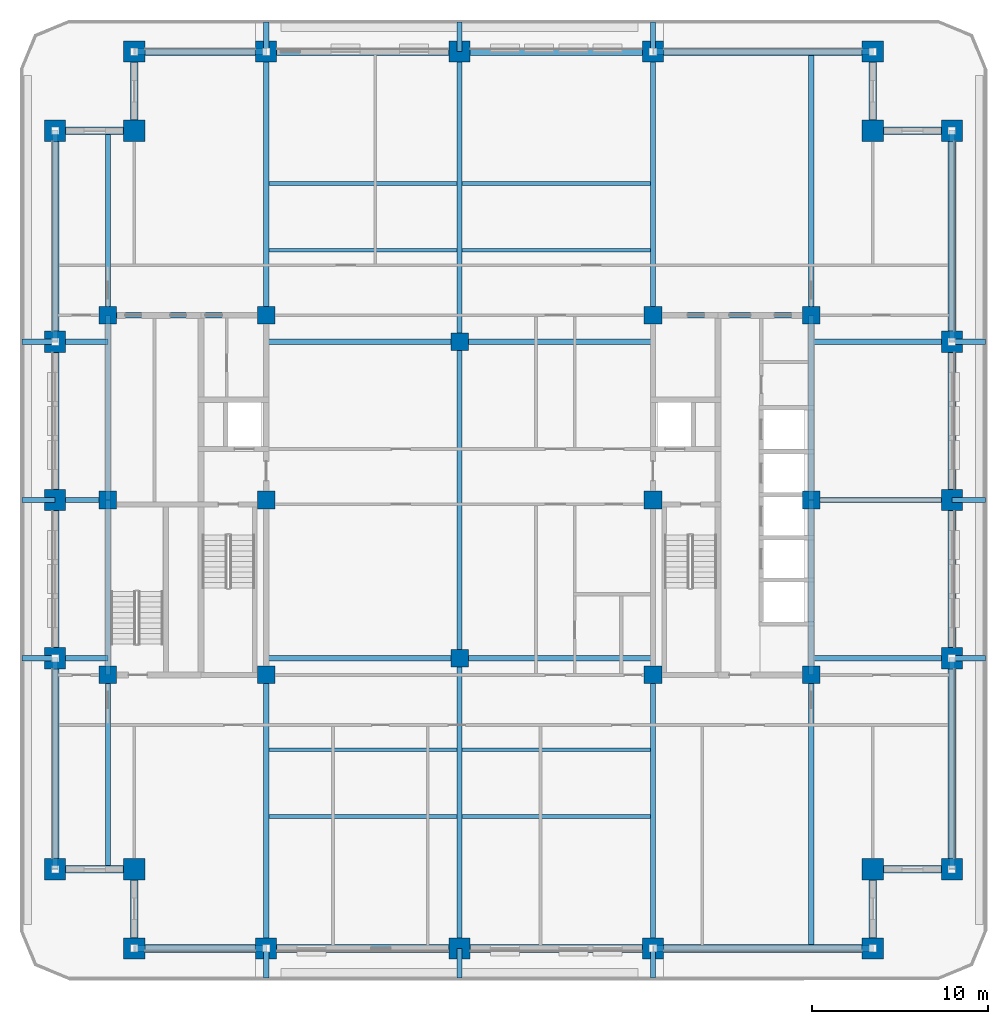
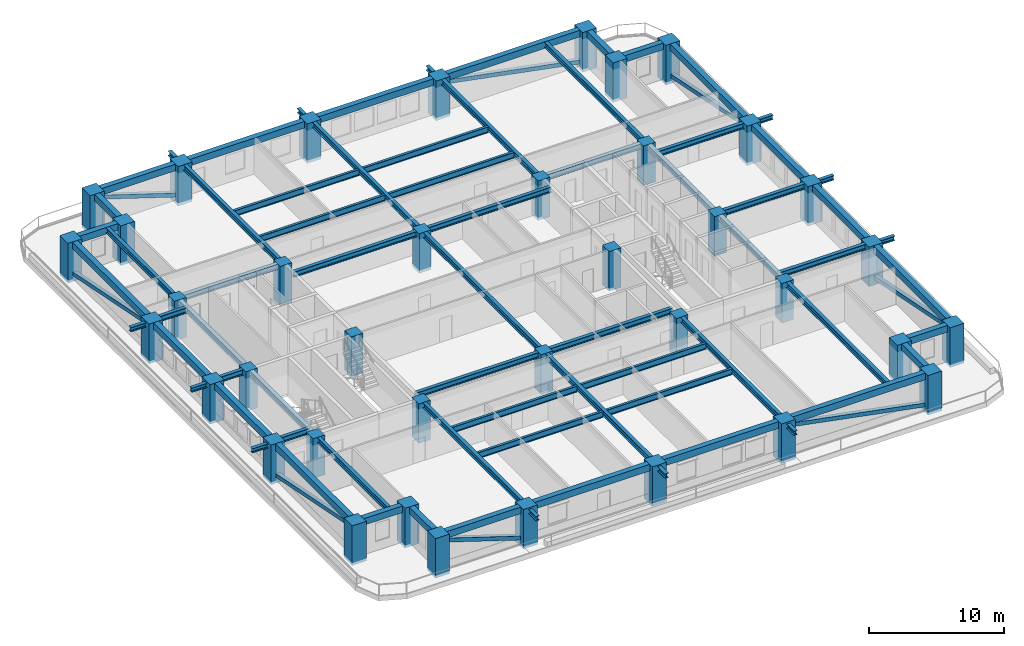
# One storey, part 1 of 13: 71 beams, 38 columns, 8 members.
"""IFC4 building model written with IfcOpenShell, lengths in metres."""

from ifc_helpers import new_model, si_unit, direction, frame, origin, origin_2d, place, context, subcontext, project, spatial, rectangle, hollow_rectangle, i_section, extrude, material, material_profile, profile_set, type_object, element, save


model = new_model("IFC4")

# Units and contexts
model_context = context("Model", 3, precision=1e-05, world=origin(), true_north=direction((0.0, 1.0)))
body_context = subcontext(model_context, "Body", "Model", "MODEL_VIEW")
ifc_project = project(units=[si_unit("LENGTHUNIT", "METRE"), si_unit("AREAUNIT", "SQUARE_METRE"), si_unit("VOLUMEUNIT", "CUBIC_METRE"), si_unit("PLANEANGLEUNIT", "RADIAN"), si_unit("MASSUNIT", "GRAM", prefix="KILO")], contexts=[model_context])

# Site, building, storey
site_placement = place(None, origin())
site = spatial("IfcSite", under=ifc_project, at=site_placement, CompositionType="ELEMENT")
building_placement = place(site_placement, origin())
building = spatial("IfcBuilding", under=site, at=building_placement, Name="Zulmaris Gate Convention Tower", CompositionType="ELEMENT")
storey_placement = place(building_placement, frame((0.0, 0.0, 109.2099609375)))
storey = spatial("IfcBuildingStorey", under=building, at=storey_placement, Name="L27", CompositionType="ELEMENT", Elevation=109.2099609375)

# Columns
ifc_material_1 = material(Name="Concrete C60/75", Category="concrete")
ifc_material_profile_1 = material_profile(ifc_material_1, rectangle(XDim=1.0, YDim=1.0, at=origin_2d()), Name="RC COL 1000x1000")
ifc_profile_set_1 = profile_set([ifc_material_profile_1], Name="Concrete C60/75")
column_type_1 = type_object("IfcColumnType", Name="COL-RC1000", PredefinedType="COLUMN", material=ifc_profile_set_1)
for number, where, z_axis, x_axis, name in (
    (1, (-20.0, -9.949951171875, -0.25), (0.0, 0.0, 1.0), (1.0, 0.0, 0.0), "L27 Column IN--20.00_-9.95"),
    (2, (-20.0, 10.5, -0.25), (0.0, 0.0, 1.0), (1.0, 0.0, 0.0), "L27 Column IN--20.00_+10.50"),
    (3, (-11.0, -9.949951171875, -0.25), (0.0, 0.0, 1.0), (1.0, 0.0, 0.0), "L27 Column IN--11.00_-9.95"),
    (4, (-11.0, 0.0, -0.25), (0.0, 0.0, 1.0), (1.0, 0.0, 0.0), "L27 Column IN--11.00_+0.00"),
    (5, (-11.0, 10.5, -0.25), (0.0, 0.0, 1.0), (1.0, 0.0, 0.0), "L27 Column IN--11.00_+10.50"),
    (6, (11.0, -9.949951171875, -0.25), (0.0, 0.0, 1.0), (1.0, 0.0, 0.0), "L27 Column IN-+11.00_-9.95"),
    (7, (11.0, 0.0, -0.25), (0.0, 0.0, 1.0), (1.0, 0.0, 0.0), "L27 Column IN-+11.00_+0.00"),
    (8, (11.0, 10.5, -0.25), (0.0, 0.0, 1.0), (1.0, 0.0, 0.0), "L27 Column IN-+11.00_+10.50"),
    (9, (20.0, -9.949951171875, -0.25), (0.0, 0.0, 1.0), (1.0, 0.0, 0.0), "L27 Column IN-+20.00_-9.95"),
    (10, (20.0, 10.5, -0.25), (0.0, 0.0, 1.0), (1.0, 0.0, 0.0), "L27 Column IN-+20.00_+10.50"),
    (11, (0.0, -9.0, -0.25), (0.0, 0.0, 1.0), (1.0, 0.0, 0.0), "L27 Column IN-+0.00_-9.00"),
    (12, (0.0, 9.0, -0.25), (0.0, 0.0, 1.0), (1.0, 0.0, 0.0), "L27 Column IN-+0.00_+9.00"),
    (13, (-20.0, 0.0, -0.25), (0.0, 0.0, 1.0), (1.0, 0.0, 0.0), "L27 Column IN--20.00_+0.00"),
    (14, (20.0, 0.0, -0.25), (0.0, 0.0, 1.0), (1.0, 0.0, 0.0), "L27 Column IN-+20.00_+0.00"),
):
    element("IfcColumn", number, at=place(storey_placement, frame(where, z_axis=z_axis, x_axis=x_axis)), inside=storey, type_object=column_type_1, Name=name, PredefinedType="COLUMN", context=body_context, shape_type="SweptSolid", body=[
        extrude(rectangle(XDim=1.0, YDim=1.0, at=origin_2d()), origin(), (0.0, 0.0, 1.0), 3.570068359375),
    ])
ifc_material_2 = material(Name="Concrete C70/85", Category="concrete")
ifc_material_profile_2 = material_profile(ifc_material_2, rectangle(XDim=1.199951171875, YDim=1.199951171875, at=origin_2d()), Name="RC COL 1200x1200")
ifc_profile_set_2 = profile_set([ifc_material_profile_2], Name="Concrete C70/85")
column_type_2 = type_object("IfcColumnType", Name="COL-RC1200", PredefinedType="COLUMN", material=ifc_profile_set_2)
for number, where, z_axis, x_axis, name in (
    (15, (-18.5, -25.5, -0.25), (0.0, 0.0, 1.0), (1.0, 0.0, 0.0), "L27 Column PT--18.50_-25.50"),
    (16, (-11.0, -25.5, -0.25), (0.0, 0.0, 1.0), (1.0, 0.0, 0.0), "L27 Column PT--11.00_-25.50"),
    (17, (0.0, -25.5, -0.25), (0.0, 0.0, 1.0), (1.0, 0.0, 0.0), "L27 Column PT-+0.00_-25.50"),
    (18, (11.0, -25.5, -0.25), (0.0, 0.0, 1.0), (1.0, 0.0, 0.0), "L27 Column PT-+11.00_-25.50"),
    (19, (23.5, -25.5, -0.25), (0.0, 0.0, 1.0), (1.0, 0.0, 0.0), "L27 Column PT-+23.50_-25.50"),
    (20, (-18.5, 25.5, -0.25), (0.0, 0.0, 1.0), (1.0, 0.0, 0.0), "L27 Column PT--18.50_+25.50"),
    (21, (-11.0, 25.5, -0.25), (0.0, 0.0, 1.0), (1.0, 0.0, 0.0), "L27 Column PT--11.00_+25.50"),
    (22, (0.0, 25.5, -0.25), (0.0, 0.0, 1.0), (1.0, 0.0, 0.0), "L27 Column PT-+0.00_+25.50"),
    (23, (11.0, 25.5, -0.25), (0.0, 0.0, 1.0), (1.0, 0.0, 0.0), "L27 Column PT-+11.00_+25.50"),
    (24, (23.5, 25.5, -0.25), (0.0, 0.0, 1.0), (1.0, 0.0, 0.0), "L27 Column PT-+23.50_+25.50"),
    (25, (-23.0, -21.0, -0.25), (0.0, 0.0, 1.0), (1.0, 0.0, 0.0), "L27 Column PT--23.00_-21.00"),
    (26, (-23.0, -9.0, -0.25), (0.0, 0.0, 1.0), (1.0, 0.0, 0.0), "L27 Column PT--23.00_-9.00"),
    (27, (-23.0, 0.0, -0.25), (0.0, 0.0, 1.0), (1.0, 0.0, 0.0), "L27 Column PT--23.00_+0.00"),
    (28, (-23.0, 9.0, -0.25), (0.0, 0.0, 1.0), (1.0, 0.0, 0.0), "L27 Column PT--23.00_+9.00"),
    (29, (-23.0, 21.0, -0.25), (0.0, 0.0, 1.0), (1.0, 0.0, 0.0), "L27 Column PT--23.00_+21.00"),
    (30, (28.0, -21.0, -0.25), (0.0, 0.0, 1.0), (1.0, 0.0, 0.0), "L27 Column PT-+28.00_-21.00"),
    (31, (28.0, -9.0, -0.25), (0.0, 0.0, 1.0), (1.0, 0.0, 0.0), "L27 Column PT-+28.00_-9.00"),
    (32, (28.0, 0.0, -0.25), (0.0, 0.0, 1.0), (1.0, 0.0, 0.0), "L27 Column PT-+28.00_+0.00"),
    (33, (28.0, 9.0, -0.25), (0.0, 0.0, 1.0), (1.0, 0.0, 0.0), "L27 Column PT-+28.00_+9.00"),
    (34, (28.0, 21.0, -0.25), (0.0, 0.0, 1.0), (1.0, 0.0, 0.0), "L27 Column PT-+28.00_+21.00"),
    (35, (-18.5, -21.0, -0.25), (0.0, 0.0, 1.0), (1.0, 0.0, 0.0), "L27 Column PT--18.50_-21.00"),
    (36, (23.5, -21.0, -0.25), (0.0, 0.0, 1.0), (1.0, 0.0, 0.0), "L27 Column PT-+23.50_-21.00"),
    (37, (23.5, 21.0, -0.25), (0.0, 0.0, 1.0), (1.0, 0.0, 0.0), "L27 Column PT-+23.50_+21.00"),
    (38, (-18.5, 21.0, -0.25), (0.0, 0.0, 1.0), (1.0, 0.0, 0.0), "L27 Column PT--18.50_+21.00"),
):
    element("IfcColumn", number, at=place(storey_placement, frame(where, z_axis=z_axis, x_axis=x_axis)), inside=storey, type_object=column_type_2, Name=name, PredefinedType="COLUMN", context=body_context, shape_type="SweptSolid", body=[
        extrude(rectangle(XDim=1.199951171875, YDim=1.199951171875, at=origin_2d()), origin(), (0.0, 0.0, 1.0), 3.570068359375),
    ])

# Beams
ifc_material_3 = material(Name="Steel S355", Category="steel")
ifc_material_profile_3 = material_profile(ifc_material_3, i_section(OverallWidth=0.300048828125, OverallDepth=0.39990234375, WebThickness=0.013427734375, FlangeThickness=0.02392578125, FilletRadius=0.027099609375, at=origin_2d()), Name="HEB 400")
ifc_profile_set_3 = profile_set([ifc_material_profile_3], Name="Steel S355")
beam_type_1 = type_object("IfcBeamType", Name="BM-HEB400", PredefinedType="BEAM", material=ifc_profile_set_3)
for number, where, z_axis, x_axis, name in (
    (39, (-11.0, -27.199951171875, 2.97998046875), (0.0, 1.0, 0.0), (-1.0, 0.0, 0.0), "L27 Beam TBRK-L27-S--11"),
    (40, (-11.0, 25.5, 2.97998046875), (0.0, 1.0, 0.0), (-1.0, 0.0, 0.0), "L27 Beam TBRK-L27-N--11"),
    (41, (0.0, -27.199951171875, 2.97998046875), (0.0, 1.0, 0.0), (-1.0, 0.0, 0.0), "L27 Beam TBRK-L27-S-+0"),
    (42, (0.0, 25.5, 2.97998046875), (0.0, 1.0, 0.0), (-1.0, 0.0, 0.0), "L27 Beam TBRK-L27-N-+0"),
    (43, (11.0, -27.199951171875, 2.97998046875), (0.0, 1.0, 0.0), (-1.0, 0.0, 0.0), "L27 Beam TBRK-L27-S-+11"),
    (44, (11.0, 25.5, 2.97998046875), (0.0, 1.0, 0.0), (-1.0, 0.0, 0.0), "L27 Beam TBRK-L27-N-+11"),
):
    element("IfcBeam", number, at=place(storey_placement, frame(where, z_axis=z_axis, x_axis=x_axis)), inside=storey, type_object=beam_type_1, Name=name, PredefinedType="BEAM", context=body_context, shape_type="SweptSolid", body=[
        extrude(i_section(OverallWidth=0.300048828125, OverallDepth=0.39990234375, WebThickness=0.013427734375, FlangeThickness=0.02392578125, FilletRadius=0.027099609375, at=origin_2d()), origin(), (0.0, 0.0, 1.0), 1.699951171875),
    ])
for number, where, z_axis, x_axis, name in (
    (45, (-24.89990234375, -9.0, 2.97998046875), (1.0, 0.0, 0.0), (0.0, 1.0, 0.0), "L27 Beam TBRK-L27-W--9"),
    (46, (28.0, -9.0, 2.97998046875), (1.0, 0.0, 0.0), (0.0, 1.0, 0.0), "L27 Beam TBRK-L27-E--9"),
    (47, (-24.89990234375, 0.0, 2.97998046875), (1.0, 0.0, 0.0), (0.0, 1.0, 0.0), "L27 Beam TBRK-L27-W-+0"),
    (48, (28.0, 0.0, 2.97998046875), (1.0, 0.0, 0.0), (0.0, 1.0, 0.0), "L27 Beam TBRK-L27-E-+0"),
    (49, (-24.89990234375, 9.0, 2.97998046875), (1.0, 0.0, 0.0), (0.0, 1.0, 0.0), "L27 Beam TBRK-L27-W-+9"),
    (50, (28.0, 9.0, 2.97998046875), (1.0, 0.0, 0.0), (0.0, 1.0, 0.0), "L27 Beam TBRK-L27-E-+9"),
):
    element("IfcBeam", number, at=place(storey_placement, frame(where, z_axis=z_axis, x_axis=x_axis)), inside=storey, type_object=beam_type_1, Name=name, PredefinedType="BEAM", context=body_context, shape_type="SweptSolid", body=[
        extrude(i_section(OverallWidth=0.300048828125, OverallDepth=0.39990234375, WebThickness=0.013427734375, FlangeThickness=0.02392578125, FilletRadius=0.027099609375, at=origin_2d()), origin(), (0.0, 0.0, 1.0), 1.89990234375),
    ])
ifc_material_profile_4 = material_profile(ifc_material_3, i_section(OverallWidth=0.300048828125, OverallDepth=0.5, WebThickness=0.014404296875, FlangeThickness=0.028076171875, FilletRadius=0.027099609375, at=origin_2d()), Name="HEB 500")
ifc_profile_set_4 = profile_set([ifc_material_profile_4], Name="Steel S355")
beam_type_2 = type_object("IfcBeamType", Name="BM-HEB500", PredefinedType="BEAM", material=ifc_profile_set_4)
for number, where, z_axis, x_axis, name in (
    (51, (-11.0, -9.0, 3.068115234375), (1.0, 0.0, 0.0), (0.0, 1.0, 0.0), "L27 Beam BM-L27-G01"),
    (52, (0.0, -9.0, 3.068115234375), (1.0, 0.0, 0.0), (0.0, 1.0, 0.0), "L27 Beam BM-L27-G02"),
    (53, (-11.0, 9.0, 3.068115234375), (1.0, 0.0, 0.0), (0.0, 1.0, 0.0), "L27 Beam BM-L27-G03"),
    (54, (0.0, 9.0, 3.068115234375), (1.0, 0.0, 0.0), (0.0, 1.0, 0.0), "L27 Beam BM-L27-G04"),
):
    element("IfcBeam", number, at=place(storey_placement, frame(where, z_axis=z_axis, x_axis=x_axis)), inside=storey, type_object=beam_type_2, Name=name, PredefinedType="BEAM", context=body_context, shape_type="SweptSolid", body=[
        extrude(i_section(OverallWidth=0.300048828125, OverallDepth=0.5, WebThickness=0.014404296875, FlangeThickness=0.028076171875, FilletRadius=0.027099609375, at=origin_2d()), origin(), (0.0, 0.0, 1.0), 11.0),
    ])
beam_1_placement = place(storey_placement, frame((0.0, -25.5, 3.068115234375), z_axis=(0.0, 1.0, 0.0), x_axis=(-1.0, 0.0, 0.0)))
element("IfcBeam", 55, at=beam_1_placement, inside=storey, type_object=beam_type_2, Name="L27 Beam BM-L27-G05", PredefinedType="BEAM", context=body_context, shape_type="SweptSolid", body=[
    extrude(i_section(OverallWidth=0.300048828125, OverallDepth=0.5, WebThickness=0.014404296875, FlangeThickness=0.028076171875, FilletRadius=0.027099609375, at=origin_2d()), origin(), (0.0, 0.0, 1.0), 16.5),
])
beam_2_placement = place(storey_placement, frame((0.0, -9.0, 3.068115234375), z_axis=(0.0, 1.0, 0.0), x_axis=(-1.0, 0.0, 0.0)))
element("IfcBeam", 56, at=beam_2_placement, inside=storey, type_object=beam_type_2, Name="L27 Beam BM-L27-G06", PredefinedType="BEAM", context=body_context, shape_type="SweptSolid", body=[
    extrude(i_section(OverallWidth=0.300048828125, OverallDepth=0.5, WebThickness=0.014404296875, FlangeThickness=0.028076171875, FilletRadius=0.027099609375, at=origin_2d()), origin(), (0.0, 0.0, 1.0), 18.0),
])
beam_3_placement = place(storey_placement, frame((0.0, 9.0, 3.068115234375), z_axis=(0.0, 1.0, 0.0), x_axis=(-1.0, 0.0, 0.0)))
element("IfcBeam", 57, at=beam_3_placement, inside=storey, type_object=beam_type_2, Name="L27 Beam BM-L27-G07", PredefinedType="BEAM", context=body_context, shape_type="SweptSolid", body=[
    extrude(i_section(OverallWidth=0.300048828125, OverallDepth=0.5, WebThickness=0.014404296875, FlangeThickness=0.028076171875, FilletRadius=0.027099609375, at=origin_2d()), origin(), (0.0, 0.0, 1.0), 16.5),
])
beam_4_placement = place(storey_placement, frame((-11.0, -25.5, 3.068115234375), z_axis=(0.0, 1.0, 0.0), x_axis=(-1.0, 0.0, 0.0)))
element("IfcBeam", 58, at=beam_4_placement, inside=storey, type_object=beam_type_2, Name="L27 Beam BM-L27-G08", PredefinedType="BEAM", context=body_context, shape_type="SweptSolid", body=[
    extrude(i_section(OverallWidth=0.300048828125, OverallDepth=0.5, WebThickness=0.014404296875, FlangeThickness=0.028076171875, FilletRadius=0.027099609375, at=origin_2d()), origin(), (0.0, 0.0, 1.0), 15.550048828125),
])
beam_5_placement = place(storey_placement, frame((-11.0, 10.5, 3.068115234375), z_axis=(0.0, 1.0, 0.0), x_axis=(-1.0, 0.0, 0.0)))
element("IfcBeam", 59, at=beam_5_placement, inside=storey, type_object=beam_type_2, Name="L27 Beam BM-L27-G09", PredefinedType="BEAM", context=body_context, shape_type="SweptSolid", body=[
    extrude(i_section(OverallWidth=0.300048828125, OverallDepth=0.5, WebThickness=0.014404296875, FlangeThickness=0.028076171875, FilletRadius=0.027099609375, at=origin_2d()), origin(), (0.0, 0.0, 1.0), 15.0),
])
beam_6_placement = place(storey_placement, frame((11.0, -25.5, 3.068115234375), z_axis=(0.0, 1.0, 0.0), x_axis=(-1.0, 0.0, 0.0)))
element("IfcBeam", 60, at=beam_6_placement, inside=storey, type_object=beam_type_2, Name="L27 Beam BM-L27-G10", PredefinedType="BEAM", context=body_context, shape_type="SweptSolid", body=[
    extrude(i_section(OverallWidth=0.300048828125, OverallDepth=0.5, WebThickness=0.014404296875, FlangeThickness=0.028076171875, FilletRadius=0.027099609375, at=origin_2d()), origin(), (0.0, 0.0, 1.0), 15.550048828125),
])
beam_7_placement = place(storey_placement, frame((11.0, 10.5, 3.068115234375), z_axis=(0.0, 1.0, 0.0), x_axis=(-1.0, 0.0, 0.0)))
element("IfcBeam", 61, at=beam_7_placement, inside=storey, type_object=beam_type_2, Name="L27 Beam BM-L27-G11", PredefinedType="BEAM", context=body_context, shape_type="SweptSolid", body=[
    extrude(i_section(OverallWidth=0.300048828125, OverallDepth=0.5, WebThickness=0.014404296875, FlangeThickness=0.028076171875, FilletRadius=0.027099609375, at=origin_2d()), origin(), (0.0, 0.0, 1.0), 15.0),
])
beam_8_placement = place(storey_placement, frame((-20.0, -21.0, 3.068115234375), z_axis=(0.0, 1.0, 0.0), x_axis=(-1.0, 0.0, 0.0)))
element("IfcBeam", 62, at=beam_8_placement, inside=storey, type_object=beam_type_2, Name="L27 Beam BM-L27-G12", PredefinedType="BEAM", context=body_context, shape_type="SweptSolid", body=[
    extrude(i_section(OverallWidth=0.300048828125, OverallDepth=0.5, WebThickness=0.014404296875, FlangeThickness=0.028076171875, FilletRadius=0.027099609375, at=origin_2d()), origin(), (0.0, 0.0, 1.0), 11.050048828125),
])
beam_9_placement = place(storey_placement, frame((-20.0, 10.5, 3.068115234375), z_axis=(0.0, 1.0, 0.0), x_axis=(-1.0, 0.0, 0.0)))
element("IfcBeam", 63, at=beam_9_placement, inside=storey, type_object=beam_type_2, Name="L27 Beam BM-L27-G13", PredefinedType="BEAM", context=body_context, shape_type="SweptSolid", body=[
    extrude(i_section(OverallWidth=0.300048828125, OverallDepth=0.5, WebThickness=0.014404296875, FlangeThickness=0.028076171875, FilletRadius=0.027099609375, at=origin_2d()), origin(), (0.0, 0.0, 1.0), 10.5),
])
beam_10_placement = place(storey_placement, frame((20.0, -25.5, 3.068115234375), z_axis=(0.0, 1.0, 0.0), x_axis=(-1.0, 0.0, 0.0)))
element("IfcBeam", 64, at=beam_10_placement, inside=storey, type_object=beam_type_2, Name="L27 Beam BM-L27-G14", PredefinedType="BEAM", context=body_context, shape_type="SweptSolid", body=[
    extrude(i_section(OverallWidth=0.300048828125, OverallDepth=0.5, WebThickness=0.014404296875, FlangeThickness=0.028076171875, FilletRadius=0.027099609375, at=origin_2d()), origin(), (0.0, 0.0, 1.0), 15.550048828125),
])
beam_11_placement = place(storey_placement, frame((20.0, 10.5, 3.068115234375), z_axis=(0.0, 1.0, 0.0), x_axis=(-1.0, 0.0, 0.0)))
element("IfcBeam", 65, at=beam_11_placement, inside=storey, type_object=beam_type_2, Name="L27 Beam BM-L27-G15", PredefinedType="BEAM", context=body_context, shape_type="SweptSolid", body=[
    extrude(i_section(OverallWidth=0.300048828125, OverallDepth=0.5, WebThickness=0.014404296875, FlangeThickness=0.028076171875, FilletRadius=0.027099609375, at=origin_2d()), origin(), (0.0, 0.0, 1.0), 15.0),
])
for number, where, z_axis, x_axis, name in (
    (66, (-23.0, -9.0, 3.068115234375), (1.0, 0.0, 0.0), (0.0, 1.0, 0.0), "L27 Beam BM-L27-G16"),
    (67, (-23.0, 0.0, 3.068115234375), (1.0, 0.0, 0.0), (0.0, 1.0, 0.0), "L27 Beam BM-L27-G17"),
    (68, (-23.0, 9.0, 3.068115234375), (1.0, 0.0, 0.0), (0.0, 1.0, 0.0), "L27 Beam BM-L27-G18"),
):
    element("IfcBeam", number, at=place(storey_placement, frame(where, z_axis=z_axis, x_axis=x_axis)), inside=storey, type_object=beam_type_2, Name=name, PredefinedType="BEAM", context=body_context, shape_type="SweptSolid", body=[
        extrude(i_section(OverallWidth=0.300048828125, OverallDepth=0.5, WebThickness=0.014404296875, FlangeThickness=0.028076171875, FilletRadius=0.027099609375, at=origin_2d()), origin(), (0.0, 0.0, 1.0), 3.0),
    ])
for number, where, z_axis, x_axis, name in (
    (69, (20.0, -9.0, 3.068115234375), (1.0, 0.0, 0.0), (0.0, 1.0, 0.0), "L27 Beam BM-L27-G19"),
    (70, (20.0, 0.0, 3.068115234375), (1.0, 0.0, 0.0), (0.0, 1.0, 0.0), "L27 Beam BM-L27-G20"),
    (71, (20.0, 9.0, 3.068115234375), (1.0, 0.0, 0.0), (0.0, 1.0, 0.0), "L27 Beam BM-L27-G21"),
):
    element("IfcBeam", number, at=place(storey_placement, frame(where, z_axis=z_axis, x_axis=x_axis)), inside=storey, type_object=beam_type_2, Name=name, PredefinedType="BEAM", context=body_context, shape_type="SweptSolid", body=[
        extrude(i_section(OverallWidth=0.300048828125, OverallDepth=0.5, WebThickness=0.014404296875, FlangeThickness=0.028076171875, FilletRadius=0.027099609375, at=origin_2d()), origin(), (0.0, 0.0, 1.0), 8.0),
    ])
for number, where, z_axis, x_axis, name in (
    (72, (-20.0, 10.5, 3.068115234375), (1.0, 0.0, 0.0), (0.0, 1.0, 0.0), "L27 Beam BM-L27-G23"),
    (73, (11.0, 10.5, 3.068115234375), (1.0, 0.0, 0.0), (0.0, 1.0, 0.0), "L27 Beam BM-L27-G25"),
):
    element("IfcBeam", number, at=place(storey_placement, frame(where, z_axis=z_axis, x_axis=x_axis)), inside=storey, type_object=beam_type_2, Name=name, PredefinedType="BEAM", context=body_context, shape_type="SweptSolid", body=[
        extrude(i_section(OverallWidth=0.300048828125, OverallDepth=0.5, WebThickness=0.014404296875, FlangeThickness=0.028076171875, FilletRadius=0.027099609375, at=origin_2d()), origin(), (0.0, 0.0, 1.0), 9.0),
    ])
beam_12_placement = place(storey_placement, frame((-20.0, -9.949951171875, 3.068115234375), z_axis=(0.0, 1.0, 0.0), x_axis=(-1.0, 0.0, 0.0)))
element("IfcBeam", 74, at=beam_12_placement, inside=storey, type_object=beam_type_2, Name="L27 Beam BM-L27-G26", PredefinedType="BEAM", context=body_context, shape_type="SweptSolid", body=[
    extrude(i_section(OverallWidth=0.300048828125, OverallDepth=0.5, WebThickness=0.014404296875, FlangeThickness=0.028076171875, FilletRadius=0.027099609375, at=origin_2d()), origin(), (0.0, 0.0, 1.0), 9.949951171875),
])
beam_13_placement = place(storey_placement, frame((-20.0, 0.0, 3.068115234375), z_axis=(0.0, 1.0, 0.0), x_axis=(-1.0, 0.0, 0.0)))
element("IfcBeam", 75, at=beam_13_placement, inside=storey, type_object=beam_type_2, Name="L27 Beam BM-L27-G27", PredefinedType="BEAM", context=body_context, shape_type="SweptSolid", body=[
    extrude(i_section(OverallWidth=0.300048828125, OverallDepth=0.5, WebThickness=0.014404296875, FlangeThickness=0.028076171875, FilletRadius=0.027099609375, at=origin_2d()), origin(), (0.0, 0.0, 1.0), 10.5),
])
beam_14_placement = place(storey_placement, frame((20.0, -9.949951171875, 3.068115234375), z_axis=(0.0, 1.0, 0.0), x_axis=(-1.0, 0.0, 0.0)))
element("IfcBeam", 76, at=beam_14_placement, inside=storey, type_object=beam_type_2, Name="L27 Beam BM-L27-G28", PredefinedType="BEAM", context=body_context, shape_type="SweptSolid", body=[
    extrude(i_section(OverallWidth=0.300048828125, OverallDepth=0.5, WebThickness=0.014404296875, FlangeThickness=0.028076171875, FilletRadius=0.027099609375, at=origin_2d()), origin(), (0.0, 0.0, 1.0), 9.949951171875),
])
beam_15_placement = place(storey_placement, frame((20.0, 0.0, 3.068115234375), z_axis=(0.0, 1.0, 0.0), x_axis=(-1.0, 0.0, 0.0)))
element("IfcBeam", 77, at=beam_15_placement, inside=storey, type_object=beam_type_2, Name="L27 Beam BM-L27-G29", PredefinedType="BEAM", context=body_context, shape_type="SweptSolid", body=[
    extrude(i_section(OverallWidth=0.300048828125, OverallDepth=0.5, WebThickness=0.014404296875, FlangeThickness=0.028076171875, FilletRadius=0.027099609375, at=origin_2d()), origin(), (0.0, 0.0, 1.0), 10.5),
])
ifc_material_4 = material(Name="Precast concrete C50/60", Category="concrete")
ifc_material_profile_5 = material_profile(ifc_material_4, rectangle(XDim=0.449951171875, YDim=0.60009765625, at=origin_2d()), Name="RC SPANDREL 450x600")
ifc_profile_set_5 = profile_set([ifc_material_profile_5], Name="Precast concrete C50/60")
beam_type_3 = type_object("IfcBeamType", Name="BM-SP450x600", PredefinedType="SPANDREL", material=ifc_profile_set_5)
beam_16_placement = place(storey_placement, frame((-18.5, -25.5, 3.02001953125), z_axis=(1.0, 0.0, 0.0), x_axis=(0.0, 1.0, 0.0)))
element("IfcBeam", 78, at=beam_16_placement, inside=storey, type_object=beam_type_3, Name="L27 Spandrel SP-L27-01", PredefinedType="SPANDREL", context=body_context, shape_type="SweptSolid", body=[
    extrude(rectangle(XDim=0.449951171875, YDim=0.60009765625, at=origin_2d()), origin(), (0.0, 0.0, 1.0), 7.5),
])
for number, where, z_axis, x_axis, name in (
    (79, (-11.0, -25.5, 3.02001953125), (1.0, 0.0, 0.0), (0.0, 1.0, 0.0), "L27 Spandrel SP-L27-02"),
    (80, (0.0, -25.5, 3.02001953125), (1.0, 0.0, 0.0), (0.0, 1.0, 0.0), "L27 Spandrel SP-L27-03"),
):
    element("IfcBeam", number, at=place(storey_placement, frame(where, z_axis=z_axis, x_axis=x_axis)), inside=storey, type_object=beam_type_3, Name=name, PredefinedType="SPANDREL", context=body_context, shape_type="SweptSolid", body=[
        extrude(rectangle(XDim=0.449951171875, YDim=0.60009765625, at=origin_2d()), origin(), (0.0, 0.0, 1.0), 11.0),
    ])
beam_17_placement = place(storey_placement, frame((11.0, -25.5, 3.02001953125), z_axis=(1.0, 0.0, 0.0), x_axis=(0.0, 1.0, 0.0)))
element("IfcBeam", 81, at=beam_17_placement, inside=storey, type_object=beam_type_3, Name="L27 Spandrel SP-L27-04", PredefinedType="SPANDREL", context=body_context, shape_type="SweptSolid", body=[
    extrude(rectangle(XDim=0.449951171875, YDim=0.60009765625, at=origin_2d()), origin(), (0.0, 0.0, 1.0), 12.5),
])
for number, where, z_axis, x_axis, name in (
    (82, (23.5, -25.5, 3.02001953125), (0.0, 1.0, 0.0), (-1.0, 0.0, 0.0), "L27 Spandrel SP-L27-05"),
    (83, (23.5, -21.0, 3.02001953125), (1.0, 0.0, 0.0), (0.0, 1.0, 0.0), "L27 Spandrel SP-L27-06"),
):
    element("IfcBeam", number, at=place(storey_placement, frame(where, z_axis=z_axis, x_axis=x_axis)), inside=storey, type_object=beam_type_3, Name=name, PredefinedType="SPANDREL", context=body_context, shape_type="SweptSolid", body=[
        extrude(rectangle(XDim=0.449951171875, YDim=0.60009765625, at=origin_2d()), origin(), (0.0, 0.0, 1.0), 4.5),
    ])
beam_18_placement = place(storey_placement, frame((28.0, -21.0, 3.02001953125), z_axis=(0.0, 1.0, 0.0), x_axis=(-1.0, 0.0, 0.0)))
element("IfcBeam", 84, at=beam_18_placement, inside=storey, type_object=beam_type_3, Name="L27 Spandrel SP-L27-07", PredefinedType="SPANDREL", context=body_context, shape_type="SweptSolid", body=[
    extrude(rectangle(XDim=0.449951171875, YDim=0.60009765625, at=origin_2d()), origin(), (0.0, 0.0, 1.0), 12.0),
])
for number, where, z_axis, x_axis, name in (
    (85, (28.0, -9.0, 3.02001953125), (0.0, 1.0, 0.0), (-1.0, 0.0, 0.0), "L27 Spandrel SP-L27-08"),
    (86, (28.0, 0.0, 3.02001953125), (0.0, 1.0, 0.0), (-1.0, 0.0, 0.0), "L27 Spandrel SP-L27-09"),
):
    element("IfcBeam", number, at=place(storey_placement, frame(where, z_axis=z_axis, x_axis=x_axis)), inside=storey, type_object=beam_type_3, Name=name, PredefinedType="SPANDREL", context=body_context, shape_type="SweptSolid", body=[
        extrude(rectangle(XDim=0.449951171875, YDim=0.60009765625, at=origin_2d()), origin(), (0.0, 0.0, 1.0), 9.0),
    ])
beam_19_placement = place(storey_placement, frame((28.0, 9.0, 3.02001953125), z_axis=(0.0, 1.0, 0.0), x_axis=(-1.0, 0.0, 0.0)))
element("IfcBeam", 87, at=beam_19_placement, inside=storey, type_object=beam_type_3, Name="L27 Spandrel SP-L27-10", PredefinedType="SPANDREL", context=body_context, shape_type="SweptSolid", body=[
    extrude(rectangle(XDim=0.449951171875, YDim=0.60009765625, at=origin_2d()), origin(), (0.0, 0.0, 1.0), 12.0),
])
for number, where, z_axis, x_axis, name in (
    (88, (28.0, 21.0, 3.02001953125), (-1.0, 0.0, 0.0), (0.0, -1.0, 0.0), "L27 Spandrel SP-L27-11"),
    (89, (23.5, 21.0, 3.02001953125), (0.0, 1.0, 0.0), (-1.0, 0.0, 0.0), "L27 Spandrel SP-L27-12"),
):
    element("IfcBeam", number, at=place(storey_placement, frame(where, z_axis=z_axis, x_axis=x_axis)), inside=storey, type_object=beam_type_3, Name=name, PredefinedType="SPANDREL", context=body_context, shape_type="SweptSolid", body=[
        extrude(rectangle(XDim=0.449951171875, YDim=0.60009765625, at=origin_2d()), origin(), (0.0, 0.0, 1.0), 4.5),
    ])
beam_20_placement = place(storey_placement, frame((23.5, 25.5, 3.02001953125), z_axis=(-1.0, 0.0, 0.0), x_axis=(0.0, -1.0, 0.0)))
element("IfcBeam", 90, at=beam_20_placement, inside=storey, type_object=beam_type_3, Name="L27 Spandrel SP-L27-13", PredefinedType="SPANDREL", context=body_context, shape_type="SweptSolid", body=[
    extrude(rectangle(XDim=0.449951171875, YDim=0.60009765625, at=origin_2d()), origin(), (0.0, 0.0, 1.0), 12.5),
])
for number, where, z_axis, x_axis, name in (
    (91, (11.0, 25.5, 3.02001953125), (-1.0, 0.0, 0.0), (0.0, -1.0, 0.0), "L27 Spandrel SP-L27-14"),
    (92, (0.0, 25.5, 3.02001953125), (-1.0, 0.0, 0.0), (0.0, -1.0, 0.0), "L27 Spandrel SP-L27-15"),
):
    element("IfcBeam", number, at=place(storey_placement, frame(where, z_axis=z_axis, x_axis=x_axis)), inside=storey, type_object=beam_type_3, Name=name, PredefinedType="SPANDREL", context=body_context, shape_type="SweptSolid", body=[
        extrude(rectangle(XDim=0.449951171875, YDim=0.60009765625, at=origin_2d()), origin(), (0.0, 0.0, 1.0), 11.0),
    ])
beam_21_placement = place(storey_placement, frame((-11.0, 25.5, 3.02001953125), z_axis=(-1.0, 0.0, 0.0), x_axis=(0.0, -1.0, 0.0)))
element("IfcBeam", 93, at=beam_21_placement, inside=storey, type_object=beam_type_3, Name="L27 Spandrel SP-L27-16", PredefinedType="SPANDREL", context=body_context, shape_type="SweptSolid", body=[
    extrude(rectangle(XDim=0.449951171875, YDim=0.60009765625, at=origin_2d()), origin(), (0.0, 0.0, 1.0), 7.5),
])
for number, where, z_axis, x_axis, name in (
    (94, (-18.5, 25.5, 3.02001953125), (0.0, -1.0, 0.0), (1.0, 0.0, 0.0), "L27 Spandrel SP-L27-17"),
    (95, (-18.5, 21.0, 3.02001953125), (-1.0, 0.0, 0.0), (0.0, -1.0, 0.0), "L27 Spandrel SP-L27-18"),
):
    element("IfcBeam", number, at=place(storey_placement, frame(where, z_axis=z_axis, x_axis=x_axis)), inside=storey, type_object=beam_type_3, Name=name, PredefinedType="SPANDREL", context=body_context, shape_type="SweptSolid", body=[
        extrude(rectangle(XDim=0.449951171875, YDim=0.60009765625, at=origin_2d()), origin(), (0.0, 0.0, 1.0), 4.5),
    ])
beam_22_placement = place(storey_placement, frame((-23.0, 21.0, 3.02001953125), z_axis=(0.0, -1.0, 0.0), x_axis=(1.0, 0.0, 0.0)))
element("IfcBeam", 96, at=beam_22_placement, inside=storey, type_object=beam_type_3, Name="L27 Spandrel SP-L27-19", PredefinedType="SPANDREL", context=body_context, shape_type="SweptSolid", body=[
    extrude(rectangle(XDim=0.449951171875, YDim=0.60009765625, at=origin_2d()), origin(), (0.0, 0.0, 1.0), 12.0),
])
for number, where, z_axis, x_axis, name in (
    (97, (-23.0, 9.0, 3.02001953125), (0.0, -1.0, 0.0), (1.0, 0.0, 0.0), "L27 Spandrel SP-L27-20"),
    (98, (-23.0, 0.0, 3.02001953125), (0.0, -1.0, 0.0), (1.0, 0.0, 0.0), "L27 Spandrel SP-L27-21"),
):
    element("IfcBeam", number, at=place(storey_placement, frame(where, z_axis=z_axis, x_axis=x_axis)), inside=storey, type_object=beam_type_3, Name=name, PredefinedType="SPANDREL", context=body_context, shape_type="SweptSolid", body=[
        extrude(rectangle(XDim=0.449951171875, YDim=0.60009765625, at=origin_2d()), origin(), (0.0, 0.0, 1.0), 9.0),
    ])
beam_23_placement = place(storey_placement, frame((-23.0, -9.0, 3.02001953125), z_axis=(0.0, -1.0, 0.0), x_axis=(1.0, 0.0, 0.0)))
element("IfcBeam", 99, at=beam_23_placement, inside=storey, type_object=beam_type_3, Name="L27 Spandrel SP-L27-22", PredefinedType="SPANDREL", context=body_context, shape_type="SweptSolid", body=[
    extrude(rectangle(XDim=0.449951171875, YDim=0.60009765625, at=origin_2d()), origin(), (0.0, 0.0, 1.0), 12.0),
])
for number, where, z_axis, x_axis, name in (
    (100, (-23.0, -21.0, 3.02001953125), (1.0, 0.0, 0.0), (0.0, 1.0, 0.0), "L27 Spandrel SP-L27-23"),
    (101, (-18.5, -21.0, 3.02001953125), (0.0, -1.0, 0.0), (1.0, 0.0, 0.0), "L27 Spandrel SP-L27-24"),
):
    element("IfcBeam", number, at=place(storey_placement, frame(where, z_axis=z_axis, x_axis=x_axis)), inside=storey, type_object=beam_type_3, Name=name, PredefinedType="SPANDREL", context=body_context, shape_type="SweptSolid", body=[
        extrude(rectangle(XDim=0.449951171875, YDim=0.60009765625, at=origin_2d()), origin(), (0.0, 0.0, 1.0), 4.5),
    ])

# Members
ifc_material_5 = material(Name="Steel S460", Category="steel")
ifc_material_profile_6 = material_profile(ifc_material_5, hollow_rectangle(XDim=0.35009765625, YDim=0.35009765625, WallThickness=0.01611328125, at=origin_2d()), Name="SHS 350x350x16")
ifc_profile_set_6 = profile_set([ifc_material_profile_6], Name="Steel S460")
member_type = type_object("IfcMemberType", Name="BR-SHS350", PredefinedType="BRACE", material=ifc_profile_set_6)
for number, where, z_axis, x_axis, name in (
    (102, (-23.0, -9.0, 0.300048828125), (0.0, -0.980582210276, 0.196108462057), (1.0, 0.0, 0.0), "L27 Perimeter Tube Diagonal SW-W"),
    (103, (-23.0, 21.0, 0.300048828125), (0.0, -0.980582210276, 0.196108462057), (1.0, 0.0, 0.0), "L27 Perimeter Tube Diagonal NW-W"),
    (104, (28.0, -9.0, 0.300048828125), (0.0, -0.980582210276, 0.196108462057), (1.0, 0.0, 0.0), "L27 Perimeter Tube Diagonal SE-E"),
    (105, (28.0, 21.0, 0.300048828125), (0.0, -0.980582210276, 0.196108462057), (1.0, 0.0, 0.0), "L27 Perimeter Tube Diagonal NE-E"),
):
    element("IfcMember", number, at=place(storey_placement, frame(where, z_axis=z_axis, x_axis=x_axis)), inside=storey, type_object=member_type, Name=name, PredefinedType="BRACE", context=body_context, shape_type="SweptSolid", body=[
        extrude(hollow_rectangle(XDim=0.35009765625, YDim=0.35009765625, WallThickness=0.01611328125, at=origin_2d()), origin(), (0.0, 0.0, 1.0), 12.237548828125),
    ])
member_1_placement = place(storey_placement, frame((-11.0, -25.5, 0.300048828125), z_axis=(-0.95242774696, 0.0, 0.304764477624), x_axis=(0.0, -1.0, 0.0)))
element("IfcMember", 106, at=member_1_placement, inside=storey, type_object=member_type, Name="L27 Perimeter Tube Diagonal SW-S", PredefinedType="BRACE", context=body_context, shape_type="SweptSolid", body=[
    extrude(hollow_rectangle(XDim=0.35009765625, YDim=0.35009765625, WallThickness=0.01611328125, at=origin_2d()), origin(), (0.0, 0.0, 1.0), 7.87451171875),
])
member_2_placement = place(storey_placement, frame((23.5, -25.5, 0.300048828125), z_axis=(-0.982063862241, 0.0, 0.188548589176), x_axis=(0.0, -1.0, 0.0)))
element("IfcMember", 107, at=member_2_placement, inside=storey, type_object=member_type, Name="L27 Perimeter Tube Diagonal SE-S", PredefinedType="BRACE", context=body_context, shape_type="SweptSolid", body=[
    extrude(hollow_rectangle(XDim=0.35009765625, YDim=0.35009765625, WallThickness=0.01611328125, at=origin_2d()), origin(), (0.0, 0.0, 1.0), 12.728271484375),
])
member_3_placement = place(storey_placement, frame((-11.0, 25.5, 0.300048828125), z_axis=(-0.95242774696, 0.0, 0.304764477624), x_axis=(0.0, -1.0, 0.0)))
element("IfcMember", 108, at=member_3_placement, inside=storey, type_object=member_type, Name="L27 Perimeter Tube Diagonal NW-N", PredefinedType="BRACE", context=body_context, shape_type="SweptSolid", body=[
    extrude(hollow_rectangle(XDim=0.35009765625, YDim=0.35009765625, WallThickness=0.01611328125, at=origin_2d()), origin(), (0.0, 0.0, 1.0), 7.87451171875),
])
member_4_placement = place(storey_placement, frame((23.5, 25.5, 0.300048828125), z_axis=(-0.982063862241, 0.0, 0.188548589176), x_axis=(0.0, -1.0, 0.0)))
element("IfcMember", 109, at=member_4_placement, inside=storey, type_object=member_type, Name="L27 Perimeter Tube Diagonal NE-N", PredefinedType="BRACE", context=body_context, shape_type="SweptSolid", body=[
    extrude(hollow_rectangle(XDim=0.35009765625, YDim=0.35009765625, WallThickness=0.01611328125, at=origin_2d()), origin(), (0.0, 0.0, 1.0), 12.728271484375),
])

# Beams
ifc_material_profile_7 = material_profile(ifc_material_3, i_section(OverallWidth=0.2099609375, OverallDepth=0.550048828125, WebThickness=0.010986328125, FlangeThickness=0.01708984375, FilletRadius=0.02392578125, at=origin_2d()), Name="IPE 550")
ifc_profile_set_7 = profile_set([ifc_material_profile_7], Name="Steel S355")
beam_type_4 = type_object("IfcBeamType", Name="JT-IPE550", PredefinedType="JOIST", material=ifc_profile_set_7)
for number, where, z_axis, x_axis, name in (
    (110, (-10.85009765625, -18.0, 3.04296875), (1.0, 0.0, 0.0), (0.0, 1.0, 0.0), "L27 Joist JT-L27-CW--18.0"),
    (111, (0.14990234375, -18.0, 3.04296875), (1.0, 0.0, 0.0), (0.0, 1.0, 0.0), "L27 Joist JT-L27-CE--18.0"),
    (112, (-10.85009765625, -14.199951171875, 3.04296875), (1.0, 0.0, 0.0), (0.0, 1.0, 0.0), "L27 Joist JT-L27-CW--14.2"),
    (113, (0.14990234375, -14.199951171875, 3.04296875), (1.0, 0.0, 0.0), (0.0, 1.0, 0.0), "L27 Joist JT-L27-CE--14.2"),
    (114, (-10.85009765625, 14.199951171875, 3.04296875), (1.0, 0.0, 0.0), (0.0, 1.0, 0.0), "L27 Joist JT-L27-CW-+14.2"),
    (115, (0.14990234375, 14.199951171875, 3.04296875), (1.0, 0.0, 0.0), (0.0, 1.0, 0.0), "L27 Joist JT-L27-CE-+14.2"),
    (116, (-10.85009765625, 18.0, 3.04296875), (1.0, 0.0, 0.0), (0.0, 1.0, 0.0), "L27 Joist JT-L27-CW-+18.0"),
    (117, (0.14990234375, 18.0, 3.04296875), (1.0, 0.0, 0.0), (0.0, 1.0, 0.0), "L27 Joist JT-L27-CE-+18.0"),
):
    element("IfcBeam", number, at=place(storey_placement, frame(where, z_axis=z_axis, x_axis=x_axis)), inside=storey, type_object=beam_type_4, Name=name, PredefinedType="JOIST", context=body_context, shape_type="SweptSolid", body=[
        extrude(i_section(OverallWidth=0.2099609375, OverallDepth=0.550048828125, WebThickness=0.010986328125, FlangeThickness=0.01708984375, FilletRadius=0.02392578125, at=origin_2d()), origin(), (0.0, 0.0, 1.0), 10.7001953125),
    ])

save(model, "model.ifc")
